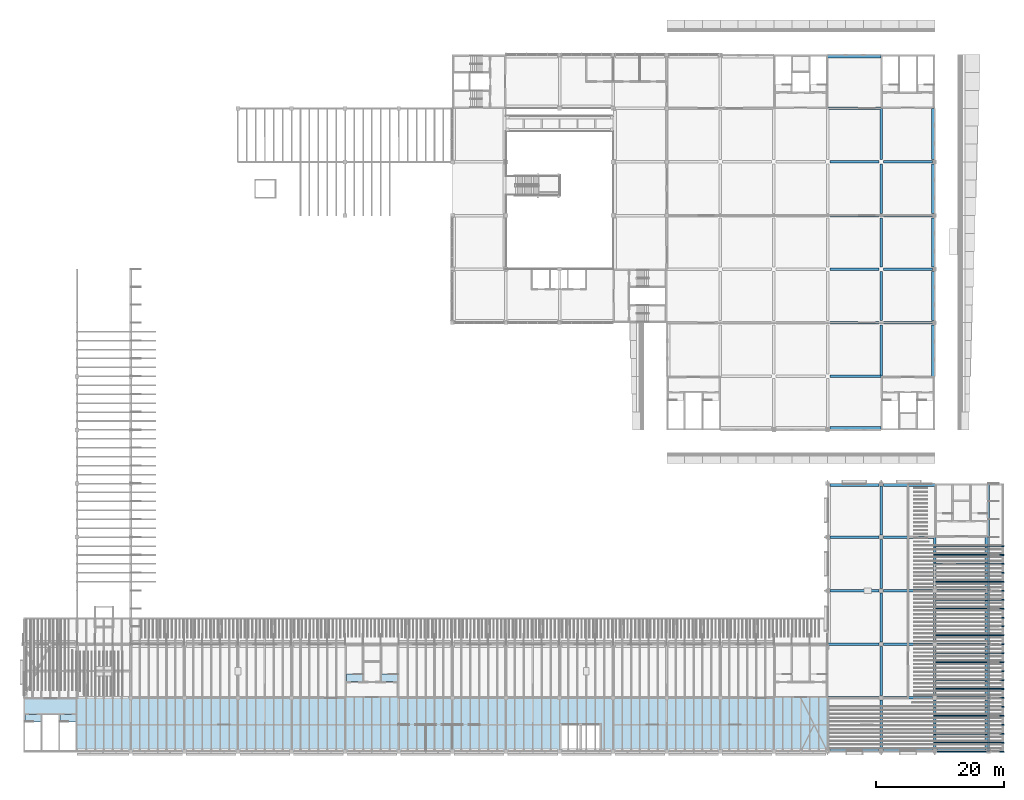
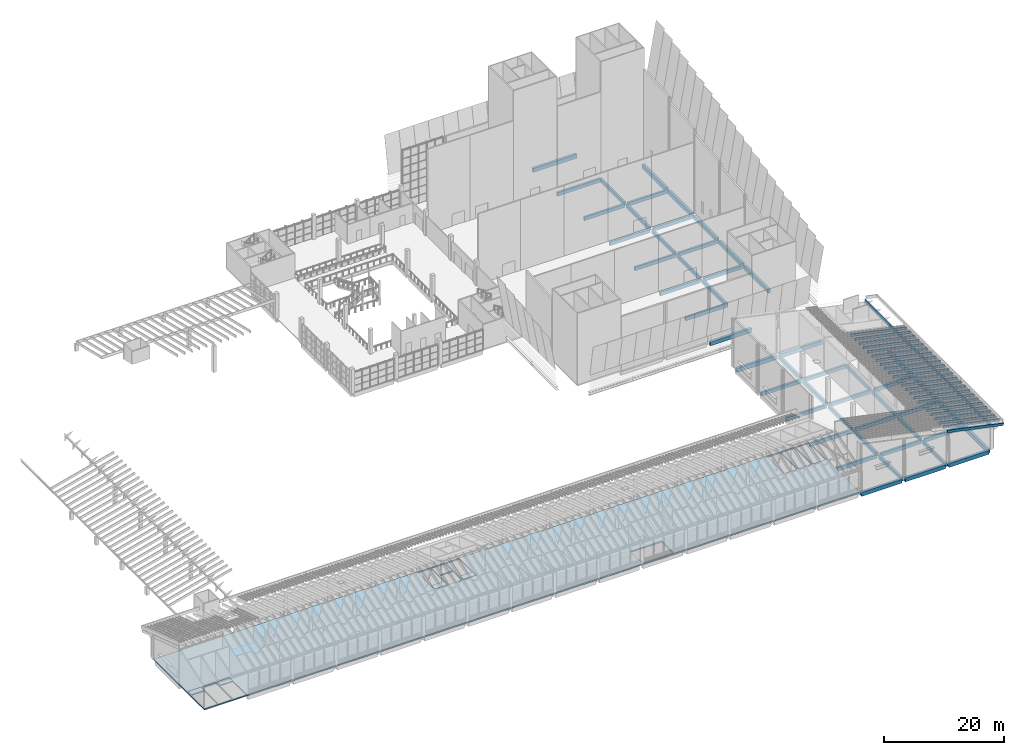
# One storey, part 13 of 59: 56 beams, 24 members, 5 slabs.
"""IFC4 building model written with IfcOpenShell, lengths in metres."""

import ifcopenshell
import ifcopenshell.guid

model = None  # the IFC model being written
_history = None  # IfcOwnerHistory: only IFC2X3 demands one
_inside = {}  # id of a spatial element -> (the spatial element, [elements in it])
_under = {}  # id of a project, library or spatial element -> (it, [spatial elements below it])
_declared = {}  # id of a project -> (the project, [libraries it declares])
_typed = {}  # id of a type object -> (the type object, [elements of that type])
_made_of = {}  # id of a material, layer set ... -> (it, [elements and type objects made of it])


def new_model(schema):
    """Start an empty IFC model of exactly this schema.

    Asked for "IFC4X3", IfcOpenShell would pick the latest addendum, in which some entities
    have other attributes; the version numbers below select the first issue.
    IFC2X3 requires an IfcOwnerHistory on every rooted entity: one is made here for all.
    """
    global model, _history
    if schema == "IFC4X3":
        model = ifcopenshell.file(schema_version=(4, 3, 0, 0))
    else:
        model = ifcopenshell.file(schema=schema)
    _inside.clear()
    _under.clear()
    _declared.clear()
    _typed.clear()
    _made_of.clear()
    _history = None
    if model.schema == "IFC2X3":
        org = make("IfcOrganization", Name="unknown")
        user = make(
            "IfcPersonAndOrganization",
            ThePerson=make("IfcPerson", FamilyName="unknown"),
            TheOrganization=org,
        )
        app = make(
            "IfcApplication",
            ApplicationDeveloper=org,
            Version="unknown",
            ApplicationFullName="unknown",
            ApplicationIdentifier="unknown",
        )
        _history = make(
            "IfcOwnerHistory",
            OwningUser=user,
            OwningApplication=app,
            ChangeAction="ADDED",
            CreationDate=0,
        )
    return model


def make(cls, **values):
    """One entity of the class cls with the attributes given. An attribute that is None is left unset."""
    return model.create_entity(
        cls, **{name: value for name, value in values.items() if value is not None}
    )


def rooted(cls, **values):
    """An entity with a GlobalId (a new one), such as an element, a storey or a relation."""
    return make(cls, GlobalId=ifcopenshell.guid.new(), OwnerHistory=_history, **values)


def si_unit(unit_type, name, prefix=None):
    """IfcSIUnit, for example si_unit("LENGTHUNIT", "METRE", prefix="MILLI")."""
    return make("IfcSIUnit", UnitType=unit_type, Prefix=prefix, Name=name)


def assignment(units):
    """IfcUnitAssignment: the units of a project."""
    return None if units is None else make("IfcUnitAssignment", Units=units)


def point(xyz):
    """IfcCartesianPoint."""
    return None if xyz is None else make("IfcCartesianPoint", Coordinates=xyz)


def direction(xyz):
    """IfcDirection."""
    return None if xyz is None else make("IfcDirection", DirectionRatios=xyz)


def frame(location, z_axis=None, x_axis=None):
    """IfcAxis2Placement3D, a coordinate frame: its origin and axes. An axis left out is left unset."""
    return make(
        "IfcAxis2Placement3D",
        Location=point(location),
        Axis=direction(z_axis),
        RefDirection=direction(x_axis),
    )


def frame_2d(location, x_axis=None):
    """IfcAxis2Placement2D, a coordinate frame in the plane: its origin and x axis."""
    return make(
        "IfcAxis2Placement2D", Location=point(location), RefDirection=direction(x_axis)
    )


def origin():
    """The frame at (0, 0, 0) with its axes left unset."""
    return frame((0.0, 0.0, 0.0))


def origin_2d():
    """The frame at (0, 0) in the plane with its x axis left unset."""
    return frame_2d((0.0, 0.0))


def place(relative_to, where):
    """IfcLocalPlacement: puts the frame where relative to a parent placement (None: the world)."""
    return make(
        "IfcLocalPlacement", PlacementRelTo=relative_to, RelativePlacement=where
    )


def context(
    kind, dimensions, precision=None, world=None, true_north=None, identifier=None
):
    """IfcGeometricRepresentationContext, for example the 3D "Model" context."""
    return make(
        "IfcGeometricRepresentationContext",
        ContextIdentifier=identifier,
        ContextType=kind,
        CoordinateSpaceDimension=dimensions,
        Precision=precision,
        WorldCoordinateSystem=world,
        TrueNorth=true_north,
    )


def subcontext(parent, identifier, kind, view, scale=None):
    """IfcGeometricRepresentationSubContext, for example "Body" below "Model"."""
    return make(
        "IfcGeometricRepresentationSubContext",
        ContextIdentifier=identifier,
        ContextType=kind,
        ParentContext=parent,
        TargetScale=scale,
        TargetView=view,
    )


def project(units=None, contexts=None):
    """IfcProject with its units and contexts."""
    return rooted(
        "IfcProject",
        Name="project",
        RepresentationContexts=contexts,
        UnitsInContext=assignment(units),
    )


def spatial(cls, under=None, at=None, **own):
    """A site, building, storey or space (cls), placed at a placement, below another one or the project."""
    s = rooted(cls, ObjectPlacement=at, **own)
    if under is not None:
        _under.setdefault(under.id(), (under, []))[1].append(s)
    return s


def polyline(points):
    """IfcPolyline through the points."""
    return make("IfcPolyline", Points=[point(p) for p in points])


def profile(cls, at=None, kind="AREA", **sizes):
    """A parametric profile (cls). Its sizes go by their IFC names, for example OverallWidth=200.0."""
    return make(cls, ProfileType=kind, Position=at, **sizes)


def rectangle(**sizes):
    """IfcRectangleProfileDef."""
    return profile("IfcRectangleProfileDef", **sizes)


def i_section(**sizes):
    """IfcIShapeProfileDef."""
    return profile("IfcIShapeProfileDef", **sizes)


def outline(outer, holes=None, kind="AREA"):
    """IfcArbitraryClosedProfileDef: a profile drawn as a closed curve; with holes, ...WithVoids."""
    if holes is None:
        return make("IfcArbitraryClosedProfileDef", ProfileType=kind, OuterCurve=outer)
    return make(
        "IfcArbitraryProfileDefWithVoids",
        ProfileType=kind,
        OuterCurve=outer,
        InnerCurves=holes,
    )


def extrude(swept, where, along, depth):
    """IfcExtrudedAreaSolid: the profile swept, set in the frame where, extruded along a direction by depth."""
    return make(
        "IfcExtrudedAreaSolid",
        SweptArea=swept,
        Position=where,
        ExtrudedDirection=direction(along),
        Depth=depth,
    )


def shape(context_of_items, identifier, shape_type, items):
    """IfcShapeRepresentation: the items that make up one representation, for example the "Body"."""
    return make(
        "IfcShapeRepresentation",
        ContextOfItems=context_of_items,
        RepresentationIdentifier=identifier,
        RepresentationType=shape_type,
        Items=items,
    )


def material(Name=None, Category=None):
    """IfcMaterial."""
    return make("IfcMaterial", Name=Name, Category=Category)


def layer(
    of_material, thickness, ventilated=None, Name=None, Category=None, Priority=None
):
    """IfcMaterialLayer: one layer of a wall or slab, of a material (None: an air gap)."""
    return make(
        "IfcMaterialLayer",
        Material=of_material,
        LayerThickness=thickness,
        IsVentilated=ventilated,
        Name=Name,
        Category=Category,
        Priority=Priority,
    )


def layer_set(layers, Name=None):
    """IfcMaterialLayerSet."""
    return make("IfcMaterialLayerSet", MaterialLayers=layers, LayerSetName=Name)


def material_profile(
    of_material, cross_section, Name=None, Category=None, Priority=None
):
    """IfcMaterialProfile: a cross section and its material."""
    return make(
        "IfcMaterialProfile",
        Name=Name,
        Material=of_material,
        Profile=cross_section,
        Priority=Priority,
        Category=Category,
    )


def profile_set(profiles, Name=None, composite=None):
    """IfcMaterialProfileSet."""
    return make(
        "IfcMaterialProfileSet",
        Name=Name,
        MaterialProfiles=profiles,
        CompositeProfile=composite,
    )


def made_of(thing, what):
    """Note that an element or type object is made of a material, layer set ...; save() writes the relation."""
    if what is not None:
        _made_of.setdefault(what.id(), (what, []))[1].append(thing)
    return thing


def type_object(cls, material=None, **own):
    """A type object (cls), such as IfcWallType, which elements share."""
    return made_of(rooted(cls, **own), material)


def element(
    cls,
    number,
    at=None,
    inside=None,
    cuts=None,
    type_object=None,
    material=None,
    context=None,
    identifier="Body",
    shape_type=None,
    held_by="IfcProductDefinitionShape",
    body=None,
    shapes=None,
    **own,
):
    """One element of the class cls, such as IfcWall. Its Tag is "e" and its number.

    at: its placement. inside: the storey or other place that contains it. cuts: it is an
    opening in that element (IfcRelVoidsElement). A single representation is given by context,
    identifier, shape_type and body (its items); several are given by shapes. held_by: the class
    of the entity that holds the representations. save() writes the other relations.
    """
    e = rooted(cls, Tag="e%d" % number, ObjectPlacement=at, **own)
    if body is not None:
        shapes = [shape(context, identifier, shape_type, body)]
    if shapes is not None:
        e.Representation = make(held_by, Representations=shapes)
    if inside is not None:
        _inside.setdefault(inside.id(), (inside, []))[1].append(e)
    if cuts is not None:
        rooted(
            "IfcRelVoidsElement", RelatingBuildingElement=cuts, RelatedOpeningElement=e
        )
    if type_object is not None:
        _typed.setdefault(type_object.id(), (type_object, []))[1].append(e)
    return made_of(e, material)


def aggregate(whole, parts):
    """IfcRelAggregates: a whole, such as a stair, and the parts it consists of."""
    return rooted("IfcRelAggregates", RelatingObject=whole, RelatedObjects=parts)


def save(model, path):
    """Write the relations noted so far, then the file.

    IfcRelAggregates (storeys below a building ...), IfcRelContainedInSpatialStructure (elements
    in a storey), IfcRelDefinesByType, IfcRelAssociatesMaterial and IfcRelDeclares: one each for
    every whole, place, type object, material and project.
    """
    for whole, parts in _under.values():
        aggregate(whole, parts)
    for where, things in _inside.values():
        rooted(
            "IfcRelContainedInSpatialStructure",
            RelatedElements=things,
            RelatingStructure=where,
        )
    for kind, things in _typed.values():
        rooted("IfcRelDefinesByType", RelatedObjects=things, RelatingType=kind)
    for what, things in _made_of.values():
        rooted("IfcRelAssociatesMaterial", RelatedObjects=things, RelatingMaterial=what)
    for by, libraries in _declared.values():
        rooted("IfcRelDeclares", RelatingContext=by, RelatedDefinitions=libraries)
    model.write(path)


model = new_model("IFC4")

# Units and contexts
model_context = context("Model", 3, precision=1e-05, world=origin(), true_north=direction((0.0, 1.0)))
body_context = subcontext(model_context, "Body", "Model", "MODEL_VIEW")
ifc_project = project(units=[si_unit("LENGTHUNIT", "METRE"), si_unit("AREAUNIT", "SQUARE_METRE"), si_unit("VOLUMEUNIT", "CUBIC_METRE"), si_unit("PLANEANGLEUNIT", "RADIAN"), si_unit("MASSUNIT", "GRAM", prefix="KILO")], contexts=[model_context])

# Site, building, storey
site_placement = place(None, origin())
site = spatial("IfcSite", under=ifc_project, at=site_placement, CompositionType="ELEMENT")
building_placement = place(site_placement, origin())
building = spatial("IfcBuilding", under=site, at=building_placement, Name="Almond Square Museum", CompositionType="ELEMENT")
storey_placement = place(building_placement, frame((0.0, 0.0, 25.0)))
storey = spatial("IfcBuildingStorey", under=building, at=storey_placement, Name="L04", CompositionType="ELEMENT", Elevation=25.0)

# Members
ifc_material_1 = material(Name="Glulam GL28h", Category="wood")
ifc_material_profile_1 = material_profile(ifc_material_1, rectangle(XDim=0.159912109375, YDim=0.5, at=origin_2d()))
ifc_profile_set_1 = profile_set([ifc_material_profile_1], Name="Glulam GL28h")
member_type = type_object("IfcMemberType", Name="Glulam rafter GL28h 160x500", PredefinedType="RAFTER", material=ifc_profile_set_1)
for number, where, z_axis, x_axis, name in (
    (1, (148.800048828125, 0.0, 6.427734375), (0.978146991949, 0.0, -0.207914554904), (0.0, 1.0, 0.0), "V5E rafter 3.1"),
    (2, (148.800048828125, 1.39990234375, 6.427734375), (0.978146991949, 0.0, -0.207914554904), (0.0, 1.0, 0.0), "V5E rafter 3.2"),
    (3, (148.800048828125, 2.800048828125, 6.427734375), (0.978146991949, 0.0, -0.207914554904), (0.0, 1.0, 0.0), "V5E rafter 3.3"),
    (4, (148.800048828125, 4.199951171875, 6.427734375), (0.978146991949, 0.0, -0.207914554904), (0.0, 1.0, 0.0), "V5E rafter 3.4"),
    (5, (148.800048828125, 5.60009765625, 6.427734375), (0.978146991949, 0.0, -0.207914554904), (0.0, 1.0, 0.0), "V5E rafter 3.5"),
    (6, (148.800048828125, 7.0, 6.427734375), (0.978146991949, 0.0, -0.207914554904), (0.0, 1.0, 0.0), "V5E rafter 3.6"),
    (7, (148.800048828125, 8.39990234375, 6.427734375), (0.978146991949, 0.0, -0.207914554904), (0.0, 1.0, 0.0), "V5E rafter 3.7"),
    (8, (148.800048828125, 9.800048828125, 6.427734375), (0.978146991949, 0.0, -0.207914554904), (0.0, 1.0, 0.0), "V5E rafter 3.8"),
    (9, (148.800048828125, 11.199951171875, 6.427734375), (0.978146991949, 0.0, -0.207914554904), (0.0, 1.0, 0.0), "V5E rafter 3.9"),
    (10, (148.800048828125, 12.60009765625, 6.427734375), (0.978146991949, 0.0, -0.207914554904), (0.0, 1.0, 0.0), "V5E rafter 3.10"),
    (11, (148.800048828125, 14.0, 6.427734375), (0.978146991949, 0.0, -0.207914554904), (0.0, 1.0, 0.0), "V5E rafter 3.11"),
    (12, (148.800048828125, 15.39990234375, 6.427734375), (0.978146991949, 0.0, -0.207914554904), (0.0, 1.0, 0.0), "V5E rafter 3.12"),
    (13, (148.800048828125, 16.800048828125, 6.427734375), (0.978146991949, 0.0, -0.207914554904), (0.0, 1.0, 0.0), "V5E rafter 3.13"),
    (14, (148.800048828125, 18.199951171875, 6.427734375), (0.978146991949, 0.0, -0.207914554904), (0.0, 1.0, 0.0), "V5E rafter 3.14"),
    (15, (148.800048828125, 19.60009765625, 6.427734375), (0.978146991949, 0.0, -0.207914554904), (0.0, 1.0, 0.0), "V5E rafter 3.15"),
    (16, (148.800048828125, 21.0, 6.427734375), (0.978146991949, 0.0, -0.207914554904), (0.0, 1.0, 0.0), "V5E rafter 3.16"),
    (17, (148.800048828125, 22.39990234375, 6.427734375), (0.978146991949, 0.0, -0.207914554904), (0.0, 1.0, 0.0), "V5E rafter 3.17"),
    (18, (148.800048828125, 23.800048828125, 6.427734375), (0.978146991949, 0.0, -0.207914554904), (0.0, 1.0, 0.0), "V5E rafter 3.18"),
    (19, (148.800048828125, 25.199951171875, 6.427734375), (0.978146991949, 0.0, -0.207914554904), (0.0, 1.0, 0.0), "V5E rafter 3.19"),
    (20, (148.800048828125, 26.60009765625, 6.427734375), (0.978146991949, 0.0, -0.207914554904), (0.0, 1.0, 0.0), "V5E rafter 3.20"),
    (21, (148.800048828125, 28.0, 6.427734375), (0.978146991949, 0.0, -0.207914554904), (0.0, 1.0, 0.0), "V5E rafter 3.21"),
    (22, (148.800048828125, 29.39990234375, 6.427734375), (0.978146991949, 0.0, -0.207914554904), (0.0, 1.0, 0.0), "V5E rafter 3.22"),
    (23, (148.800048828125, 30.800048828125, 6.427734375), (0.978146991949, 0.0, -0.207914554904), (0.0, 1.0, 0.0), "V5E rafter 3.23"),
    (24, (148.800048828125, 32.199951171875, 6.427734375), (0.978146991949, 0.0, -0.207914554904), (0.0, 1.0, 0.0), "V5E rafter 3.24"),
):
    element("IfcMember", number, at=place(storey_placement, frame(where, z_axis=z_axis, x_axis=x_axis)), inside=storey, type_object=member_type, Name=name, PredefinedType="RAFTER", context=body_context, shape_type="SweptSolid", body=[
        extrude(rectangle(XDim=0.159912109375, YDim=0.5, at=origin_2d()), origin(), (0.0, 0.0, 1.0), 11.041259765625),
    ])

# Beams
ifc_material_2 = material(Name="Concrete C40/50", Category="concrete")
ifc_material_profile_2 = material_profile(ifc_material_2, rectangle(XDim=0.39990234375, YDim=0.699951171875, at=origin_2d()))
ifc_profile_set_2 = profile_set([ifc_material_profile_2], Name="Concrete C40/50")
beam_type_1 = type_object("IfcBeamType", Name="RC beam 400 x 700 C40/50", PredefinedType="BEAM", material=ifc_profile_set_2)
beam_1_placement = place(storey_placement, frame((132.0, 8.39990234375, -0.60009765625), z_axis=(1.0, 0.0, 0.0), x_axis=(0.0, 1.0, 0.0)))
element("IfcBeam", 25, at=beam_1_placement, inside=storey, type_object=beam_type_1, Name="Beam B 17-18 L04", PredefinedType="BEAM", context=body_context, shape_type="SweptSolid", body=[
    extrude(rectangle(XDim=0.39990234375, YDim=0.699951171875, at=origin_2d()), origin(), (0.0, 0.0, 1.0), 8.050048828125),
])
beam_2_placement = place(storey_placement, frame((140.75, 8.39990234375, -0.60009765625), z_axis=(1.0, 0.0, 0.0), x_axis=(0.0, 1.0, 0.0)))
element("IfcBeam", 26, at=beam_2_placement, inside=storey, type_object=beam_type_1, Name="Beam B 18-19 L04", PredefinedType="BEAM", context=body_context, shape_type="SweptSolid", body=[
    extrude(rectangle(XDim=0.39990234375, YDim=0.699951171875, at=origin_2d()), origin(), (0.0, 0.0, 1.0), 7.699951171875),
])
beam_3_placement = place(storey_placement, frame((149.14990234375, 8.39990234375, -0.60009765625), z_axis=(1.0, 0.0, 0.0), x_axis=(0.0, 1.0, 0.0)))
element("IfcBeam", 27, at=beam_3_placement, inside=storey, type_object=beam_type_1, Name="Beam B 19-20 L04", PredefinedType="BEAM", context=body_context, shape_type="SweptSolid", body=[
    extrude(rectangle(XDim=0.39990234375, YDim=0.699951171875, at=origin_2d()), origin(), (0.0, 0.0, 1.0), 7.7001953125),
])
beam_4_placement = place(storey_placement, frame((132.0, 16.800048828125, -0.60009765625), z_axis=(1.0, 0.0, 0.0), x_axis=(0.0, 1.0, 0.0)))
element("IfcBeam", 28, at=beam_4_placement, inside=storey, type_object=beam_type_1, Name="Beam C 17-18 L04", PredefinedType="BEAM", context=body_context, shape_type="SweptSolid", body=[
    extrude(rectangle(XDim=0.39990234375, YDim=0.699951171875, at=origin_2d()), origin(), (0.0, 0.0, 1.0), 8.050048828125),
])
beam_5_placement = place(storey_placement, frame((140.75, 16.800048828125, -0.60009765625), z_axis=(1.0, 0.0, 0.0), x_axis=(0.0, 1.0, 0.0)))
element("IfcBeam", 29, at=beam_5_placement, inside=storey, type_object=beam_type_1, Name="Beam C 18-19 L04", PredefinedType="BEAM", context=body_context, shape_type="SweptSolid", body=[
    extrude(rectangle(XDim=0.39990234375, YDim=0.699951171875, at=origin_2d()), origin(), (0.0, 0.0, 1.0), 7.699951171875),
])
beam_6_placement = place(storey_placement, frame((149.14990234375, 16.800048828125, -0.60009765625), z_axis=(1.0, 0.0, 0.0), x_axis=(0.0, 1.0, 0.0)))
element("IfcBeam", 30, at=beam_6_placement, inside=storey, type_object=beam_type_1, Name="Beam C 19-20 L04", PredefinedType="BEAM", context=body_context, shape_type="SweptSolid", body=[
    extrude(rectangle(XDim=0.39990234375, YDim=0.699951171875, at=origin_2d()), origin(), (0.0, 0.0, 1.0), 7.7001953125),
])
for number, where, z_axis, x_axis, name in (
    (31, (132.35009765625, 25.199951171875, -0.60009765625), (1.0, 0.0, 0.0), (0.0, 1.0, 0.0), "Beam D 17-18 L04"),
    (32, (140.75, 25.199951171875, -0.60009765625), (1.0, 0.0, 0.0), (0.0, 1.0, 0.0), "Beam D 18-19 L04"),
):
    element("IfcBeam", number, at=place(storey_placement, frame(where, z_axis=z_axis, x_axis=x_axis)), inside=storey, type_object=beam_type_1, Name=name, PredefinedType="BEAM", context=body_context, shape_type="SweptSolid", body=[
        extrude(rectangle(XDim=0.39990234375, YDim=0.699951171875, at=origin_2d()), origin(), (0.0, 0.0, 1.0), 7.699951171875),
    ])
beam_7_placement = place(storey_placement, frame((149.14990234375, 25.199951171875, -0.60009765625), z_axis=(1.0, 0.0, 0.0), x_axis=(0.0, 1.0, 0.0)))
element("IfcBeam", 33, at=beam_7_placement, inside=storey, type_object=beam_type_1, Name="Beam D 19-20 L04", PredefinedType="BEAM", context=body_context, shape_type="SweptSolid", body=[
    extrude(rectangle(XDim=0.39990234375, YDim=0.699951171875, at=origin_2d()), origin(), (0.0, 0.0, 1.0), 7.7001953125),
])
beam_8_placement = place(storey_placement, frame((132.35009765625, 33.60009765625, -0.60009765625), z_axis=(1.0, 0.0, 0.0), x_axis=(0.0, 1.0, 0.0)))
element("IfcBeam", 34, at=beam_8_placement, inside=storey, type_object=beam_type_1, Name="Beam E 17-18 L04", PredefinedType="BEAM", context=body_context, shape_type="SweptSolid", body=[
    extrude(rectangle(XDim=0.39990234375, YDim=0.699951171875, at=origin_2d()), origin(), (0.0, 0.0, 1.0), 7.699951171875),
])
beam_9_placement = place(storey_placement, frame((140.75, 33.60009765625, -0.60009765625), z_axis=(1.0, 0.0, 0.0), x_axis=(0.0, 1.0, 0.0)))
element("IfcBeam", 35, at=beam_9_placement, inside=storey, type_object=beam_type_1, Name="Beam E 18-19 L04", PredefinedType="BEAM", context=body_context, shape_type="SweptSolid", body=[
    extrude(rectangle(XDim=0.39990234375, YDim=0.699951171875, at=origin_2d()), origin(), (0.0, 0.0, 1.0), 8.050048828125),
])
beam_10_placement = place(storey_placement, frame((132.35009765625, 58.800048828125, -0.60009765625), z_axis=(1.0, 0.0, 0.0), x_axis=(0.0, 1.0, 0.0)))
element("IfcBeam", 36, at=beam_10_placement, inside=storey, type_object=beam_type_1, Name="Beam H 17-18 L04", PredefinedType="BEAM", context=body_context, shape_type="SweptSolid", body=[
    extrude(rectangle(XDim=0.39990234375, YDim=0.699951171875, at=origin_2d()), origin(), (0.0, 0.0, 1.0), 8.0498046875),
])
for number, where, z_axis, x_axis, name in (
    (37, (132.35009765625, 67.199951171875, -0.60009765625), (1.0, 0.0, 0.0), (0.0, 1.0, 0.0), "Beam I 17-18 L04"),
    (38, (140.75, 67.199951171875, -0.60009765625), (1.0, 0.0, 0.0), (0.0, 1.0, 0.0), "Beam I 18-19 L04"),
    (39, (132.35009765625, 75.60009765625, -0.60009765625), (1.0, 0.0, 0.0), (0.0, 1.0, 0.0), "Beam J 17-18 L04"),
    (40, (140.75, 75.60009765625, -0.60009765625), (1.0, 0.0, 0.0), (0.0, 1.0, 0.0), "Beam J 18-19 L04"),
    (41, (132.35009765625, 84.0, -0.60009765625), (1.0, 0.0, 0.0), (0.0, 1.0, 0.0), "Beam K 17-18 L04"),
    (42, (140.75, 84.0, -0.60009765625), (1.0, 0.0, 0.0), (0.0, 1.0, 0.0), "Beam K 18-19 L04"),
    (43, (132.35009765625, 92.39990234375, -0.60009765625), (1.0, 0.0, 0.0), (0.0, 1.0, 0.0), "Beam L 17-18 L04"),
    (44, (140.75, 92.39990234375, -0.60009765625), (1.0, 0.0, 0.0), (0.0, 1.0, 0.0), "Beam L 18-19 L04"),
):
    element("IfcBeam", number, at=place(storey_placement, frame(where, z_axis=z_axis, x_axis=x_axis)), inside=storey, type_object=beam_type_1, Name=name, PredefinedType="BEAM", context=body_context, shape_type="SweptSolid", body=[
        extrude(rectangle(XDim=0.39990234375, YDim=0.699951171875, at=origin_2d()), origin(), (0.0, 0.0, 1.0), 7.699951171875),
    ])
beam_11_placement = place(storey_placement, frame((132.0, 100.800048828125, -0.60009765625), z_axis=(1.0, 0.0, 0.0), x_axis=(0.0, 1.0, 0.0)))
element("IfcBeam", 45, at=beam_11_placement, inside=storey, type_object=beam_type_1, Name="Beam M 17-18 L04", PredefinedType="BEAM", context=body_context, shape_type="SweptSolid", body=[
    extrude(rectangle(XDim=0.39990234375, YDim=0.699951171875, at=origin_2d()), origin(), (0.0, 0.0, 1.0), 8.39990234375),
])
for number, where, z_axis, x_axis, name in (
    (46, (140.39990234375, 0.35009765625, -0.60009765625), (0.0, 1.0, 0.0), (-1.0, 0.0, 0.0), "Beam 18 A-B L04"),
    (47, (140.39990234375, 8.75, -0.60009765625), (0.0, 1.0, 0.0), (-1.0, 0.0, 0.0), "Beam 18 B-C L04"),
):
    element("IfcBeam", number, at=place(storey_placement, frame(where, z_axis=z_axis, x_axis=x_axis)), inside=storey, type_object=beam_type_1, Name=name, PredefinedType="BEAM", context=body_context, shape_type="SweptSolid", body=[
        extrude(rectangle(XDim=0.39990234375, YDim=0.699951171875, at=origin_2d()), origin(), (0.0, 0.0, 1.0), 7.699951171875),
    ])
beam_12_placement = place(storey_placement, frame((140.39990234375, 17.14990234375, -0.60009765625), z_axis=(0.0, 1.0, 0.0), x_axis=(-1.0, 0.0, 0.0)))
element("IfcBeam", 48, at=beam_12_placement, inside=storey, type_object=beam_type_1, Name="Beam 18 C-D L04", PredefinedType="BEAM", context=body_context, shape_type="SweptSolid", body=[
    extrude(rectangle(XDim=0.39990234375, YDim=0.699951171875, at=origin_2d()), origin(), (0.0, 0.0, 1.0), 7.7001953125),
])
for number, where, z_axis, x_axis, name in (
    (49, (140.39990234375, 25.550048828125, -0.60009765625), (0.0, 1.0, 0.0), (-1.0, 0.0, 0.0), "Beam 18 D-E L04"),
    (50, (140.39990234375, 33.949951171875, -0.60009765625), (0.0, 1.0, 0.0), (-1.0, 0.0, 0.0), "Beam 18 E-F L04"),
):
    element("IfcBeam", number, at=place(storey_placement, frame(where, z_axis=z_axis, x_axis=x_axis)), inside=storey, type_object=beam_type_1, Name=name, PredefinedType="BEAM", context=body_context, shape_type="SweptSolid", body=[
        extrude(rectangle(XDim=0.39990234375, YDim=0.699951171875, at=origin_2d()), origin(), (0.0, 0.0, 1.0), 7.699951171875),
    ])
beam_13_placement = place(storey_placement, frame((140.39990234375, 58.800048828125, -0.60009765625), z_axis=(0.0, 1.0, 0.0), x_axis=(-1.0, 0.0, 0.0)))
element("IfcBeam", 51, at=beam_13_placement, inside=storey, type_object=beam_type_1, Name="Beam 18 H-I L04", PredefinedType="BEAM", context=body_context, shape_type="SweptSolid", body=[
    extrude(rectangle(XDim=0.39990234375, YDim=0.699951171875, at=origin_2d()), origin(), (0.0, 0.0, 1.0), 8.050048828125),
])
for number, where, z_axis, x_axis, name in (
    (52, (140.39990234375, 67.550048828125, -0.60009765625), (0.0, 1.0, 0.0), (-1.0, 0.0, 0.0), "Beam 18 I-J L04"),
    (53, (140.39990234375, 75.949951171875, -0.60009765625), (0.0, 1.0, 0.0), (-1.0, 0.0, 0.0), "Beam 18 J-K L04"),
    (54, (140.39990234375, 84.35009765625, -0.60009765625), (0.0, 1.0, 0.0), (-1.0, 0.0, 0.0), "Beam 18 K-L L04"),
):
    element("IfcBeam", number, at=place(storey_placement, frame(where, z_axis=z_axis, x_axis=x_axis)), inside=storey, type_object=beam_type_1, Name=name, PredefinedType="BEAM", context=body_context, shape_type="SweptSolid", body=[
        extrude(rectangle(XDim=0.39990234375, YDim=0.699951171875, at=origin_2d()), origin(), (0.0, 0.0, 1.0), 7.699951171875),
    ])
beam_14_placement = place(storey_placement, frame((140.39990234375, 92.75, -0.60009765625), z_axis=(0.0, 1.0, 0.0), x_axis=(-1.0, 0.0, 0.0)))
element("IfcBeam", 55, at=beam_14_placement, inside=storey, type_object=beam_type_1, Name="Beam 18 L-M L04", PredefinedType="BEAM", context=body_context, shape_type="SweptSolid", body=[
    extrude(rectangle(XDim=0.39990234375, YDim=0.699951171875, at=origin_2d()), origin(), (0.0, 0.0, 1.0), 8.050048828125),
])
for number, where, z_axis, x_axis, name in (
    (56, (148.800048828125, 0.35009765625, -0.60009765625), (0.0, 1.0, 0.0), (-1.0, 0.0, 0.0), "Beam 19 A-B L04"),
    (57, (148.800048828125, 8.75, -0.60009765625), (0.0, 1.0, 0.0), (-1.0, 0.0, 0.0), "Beam 19 B-C L04"),
):
    element("IfcBeam", number, at=place(storey_placement, frame(where, z_axis=z_axis, x_axis=x_axis)), inside=storey, type_object=beam_type_1, Name=name, PredefinedType="BEAM", context=body_context, shape_type="SweptSolid", body=[
        extrude(rectangle(XDim=0.39990234375, YDim=0.699951171875, at=origin_2d()), origin(), (0.0, 0.0, 1.0), 7.699951171875),
    ])
beam_15_placement = place(storey_placement, frame((148.800048828125, 17.14990234375, -0.60009765625), z_axis=(0.0, 1.0, 0.0), x_axis=(-1.0, 0.0, 0.0)))
element("IfcBeam", 58, at=beam_15_placement, inside=storey, type_object=beam_type_1, Name="Beam 19 C-D L04", PredefinedType="BEAM", context=body_context, shape_type="SweptSolid", body=[
    extrude(rectangle(XDim=0.39990234375, YDim=0.699951171875, at=origin_2d()), origin(), (0.0, 0.0, 1.0), 7.7001953125),
])
beam_16_placement = place(storey_placement, frame((148.800048828125, 25.550048828125, -0.60009765625), z_axis=(0.0, 1.0, 0.0), x_axis=(-1.0, 0.0, 0.0)))
element("IfcBeam", 59, at=beam_16_placement, inside=storey, type_object=beam_type_1, Name="Beam 19 D-E L04", PredefinedType="BEAM", context=body_context, shape_type="SweptSolid", body=[
    extrude(rectangle(XDim=0.39990234375, YDim=0.699951171875, at=origin_2d()), origin(), (0.0, 0.0, 1.0), 8.050048828125),
])
ifc_material_3 = material(Name="Concrete C40/50", Category="concrete")
ifc_material_profile_3 = material_profile(ifc_material_3, rectangle(XDim=0.5, YDim=0.800048828125, at=origin_2d()))
ifc_profile_set_3 = profile_set([ifc_material_profile_3], Name="Concrete C40/50")
beam_type_2 = type_object("IfcBeamType", Name="RC edge beam 500 x 800 C40/50", PredefinedType="BEAM", material=ifc_profile_set_3)
for number, where, z_axis, x_axis, name in (
    (60, (132.35009765625, 0.25, -0.64990234375), (1.0, 0.0, 0.0), (0.0, 1.0, 0.0), "Edge beam A 17-18 L04"),
    (61, (140.75, 0.25, -0.64990234375), (1.0, 0.0, 0.0), (0.0, 1.0, 0.0), "Edge beam A 18-19 L04"),
):
    element("IfcBeam", number, at=place(storey_placement, frame(where, z_axis=z_axis, x_axis=x_axis)), inside=storey, type_object=beam_type_2, Name=name, PredefinedType="BEAM", context=body_context, shape_type="SweptSolid", body=[
        extrude(rectangle(XDim=0.5, YDim=0.800048828125, at=origin_2d()), origin(), (0.0, 0.0, 1.0), 7.699951171875),
    ])
beam_17_placement = place(storey_placement, frame((149.14990234375, 0.25, -0.64990234375), z_axis=(1.0, 0.0, 0.0), x_axis=(0.0, 1.0, 0.0)))
element("IfcBeam", 62, at=beam_17_placement, inside=storey, type_object=beam_type_2, Name="Edge beam A 19-20 L04", PredefinedType="BEAM", context=body_context, shape_type="SweptSolid", body=[
    extrude(rectangle(XDim=0.5, YDim=0.800048828125, at=origin_2d()), origin(), (0.0, 0.0, 1.0), 7.7001953125),
])
beam_18_placement = place(storey_placement, frame((132.35009765625, 41.75, -0.64990234375), z_axis=(1.0, 0.0, 0.0), x_axis=(0.0, 1.0, 0.0)))
element("IfcBeam", 63, at=beam_18_placement, inside=storey, type_object=beam_type_2, Name="Edge beam F 17-18 L04", PredefinedType="BEAM", context=body_context, shape_type="SweptSolid", body=[
    extrude(rectangle(XDim=0.5, YDim=0.800048828125, at=origin_2d()), origin(), (0.0, 0.0, 1.0), 7.699951171875),
])
beam_19_placement = place(storey_placement, frame((140.75, 41.75, -0.64990234375), z_axis=(1.0, 0.0, 0.0), x_axis=(0.0, 1.0, 0.0)))
element("IfcBeam", 64, at=beam_19_placement, inside=storey, type_object=beam_type_2, Name="Edge beam F 18-19 L04", PredefinedType="BEAM", context=body_context, shape_type="SweptSolid", body=[
    extrude(rectangle(XDim=0.5, YDim=0.800048828125, at=origin_2d()), origin(), (0.0, 0.0, 1.0), 8.050048828125),
])
beam_20_placement = place(storey_placement, frame((132.35009765625, 50.64990234375, -0.64990234375), z_axis=(1.0, 0.0, 0.0), x_axis=(0.0, 1.0, 0.0)))
element("IfcBeam", 65, at=beam_20_placement, inside=storey, type_object=beam_type_2, Name="Edge beam G 17-18 L04", PredefinedType="BEAM", context=body_context, shape_type="SweptSolid", body=[
    extrude(rectangle(XDim=0.5, YDim=0.800048828125, at=origin_2d()), origin(), (0.0, 0.0, 1.0), 8.0498046875),
])
beam_21_placement = place(storey_placement, frame((132.0, 108.949951171875, -0.64990234375), z_axis=(1.0, 0.0, 0.0), x_axis=(0.0, 1.0, 0.0)))
element("IfcBeam", 66, at=beam_21_placement, inside=storey, type_object=beam_type_2, Name="Edge beam N 17-18 L04", PredefinedType="BEAM", context=body_context, shape_type="SweptSolid", body=[
    extrude(rectangle(XDim=0.5, YDim=0.800048828125, at=origin_2d()), origin(), (0.0, 0.0, 1.0), 8.39990234375),
])
beam_22_placement = place(storey_placement, frame((148.550048828125, 58.800048828125, -0.64990234375), z_axis=(0.0, 1.0, 0.0), x_axis=(-1.0, 0.0, 0.0)))
element("IfcBeam", 67, at=beam_22_placement, inside=storey, type_object=beam_type_2, Name="Edge beam 19 H-I L04", PredefinedType="BEAM", context=body_context, shape_type="SweptSolid", body=[
    extrude(rectangle(XDim=0.5, YDim=0.800048828125, at=origin_2d()), origin(), (0.0, 0.0, 1.0), 8.050048828125),
])
for number, where, z_axis, x_axis, name in (
    (68, (148.550048828125, 67.550048828125, -0.64990234375), (0.0, 1.0, 0.0), (-1.0, 0.0, 0.0), "Edge beam 19 I-J L04"),
    (69, (148.550048828125, 75.949951171875, -0.64990234375), (0.0, 1.0, 0.0), (-1.0, 0.0, 0.0), "Edge beam 19 J-K L04"),
    (70, (148.550048828125, 84.35009765625, -0.64990234375), (0.0, 1.0, 0.0), (-1.0, 0.0, 0.0), "Edge beam 19 K-L L04"),
):
    element("IfcBeam", number, at=place(storey_placement, frame(where, z_axis=z_axis, x_axis=x_axis)), inside=storey, type_object=beam_type_2, Name=name, PredefinedType="BEAM", context=body_context, shape_type="SweptSolid", body=[
        extrude(rectangle(XDim=0.5, YDim=0.800048828125, at=origin_2d()), origin(), (0.0, 0.0, 1.0), 7.699951171875),
    ])
beam_23_placement = place(storey_placement, frame((148.550048828125, 92.75, -0.64990234375), z_axis=(0.0, 1.0, 0.0), x_axis=(-1.0, 0.0, 0.0)))
element("IfcBeam", 71, at=beam_23_placement, inside=storey, type_object=beam_type_2, Name="Edge beam 19 L-M L04", PredefinedType="BEAM", context=body_context, shape_type="SweptSolid", body=[
    extrude(rectangle(XDim=0.5, YDim=0.800048828125, at=origin_2d()), origin(), (0.0, 0.0, 1.0), 8.050048828125),
])
for number, where, z_axis, x_axis, name in (
    (72, (156.949951171875, 0.35009765625, -0.64990234375), (0.0, 1.0, 0.0), (-1.0, 0.0, 0.0), "Edge beam 20 A-B L04"),
    (73, (156.949951171875, 8.75, -0.64990234375), (0.0, 1.0, 0.0), (-1.0, 0.0, 0.0), "Edge beam 20 B-C L04"),
):
    element("IfcBeam", number, at=place(storey_placement, frame(where, z_axis=z_axis, x_axis=x_axis)), inside=storey, type_object=beam_type_2, Name=name, PredefinedType="BEAM", context=body_context, shape_type="SweptSolid", body=[
        extrude(rectangle(XDim=0.5, YDim=0.800048828125, at=origin_2d()), origin(), (0.0, 0.0, 1.0), 7.699951171875),
    ])
beam_24_placement = place(storey_placement, frame((156.949951171875, 17.14990234375, -0.64990234375), z_axis=(0.0, 1.0, 0.0), x_axis=(-1.0, 0.0, 0.0)))
element("IfcBeam", 74, at=beam_24_placement, inside=storey, type_object=beam_type_2, Name="Edge beam 20 C-D L04", PredefinedType="BEAM", context=body_context, shape_type="SweptSolid", body=[
    extrude(rectangle(XDim=0.5, YDim=0.800048828125, at=origin_2d()), origin(), (0.0, 0.0, 1.0), 7.7001953125),
])
beam_25_placement = place(storey_placement, frame((156.949951171875, 25.550048828125, -0.64990234375), z_axis=(0.0, 1.0, 0.0), x_axis=(-1.0, 0.0, 0.0)))
element("IfcBeam", 75, at=beam_25_placement, inside=storey, type_object=beam_type_2, Name="Edge beam 20 D-E L04", PredefinedType="BEAM", context=body_context, shape_type="SweptSolid", body=[
    extrude(rectangle(XDim=0.5, YDim=0.800048828125, at=origin_2d()), origin(), (0.0, 0.0, 1.0), 8.050048828125),
])
ifc_material_4 = material(Name="Structural steel S355", Category="steel")
ifc_material_profile_4 = material_profile(ifc_material_4, i_section(OverallWidth=0.208984375, OverallDepth=0.532958984375, WebThickness=0.01025390625, FlangeThickness=0.015625, at=origin_2d()))
ifc_profile_set_4 = profile_set([ifc_material_profile_4], Name="Structural steel S355")
beam_type_3 = type_object("IfcBeamType", Name="Roof beam W530x92", PredefinedType="BEAM", material=ifc_profile_set_4)
beam_26_placement = place(storey_placement, frame((157.199951171875, 0.0, 4.625244140625), z_axis=(0.0, 1.0, 0.0), x_axis=(-0.978147600734, 0.0, 0.207911690818)))
element("IfcBeam", 76, at=beam_26_placement, inside=storey, type_object=beam_type_3, Name="V5E roof beam 4.1", PredefinedType="BEAM", context=body_context, shape_type="SweptSolid", body=[
    extrude(i_section(OverallWidth=0.208984375, OverallDepth=0.532958984375, WebThickness=0.01025390625, FlangeThickness=0.015625, at=origin_2d()), origin(), (0.0, 0.0, 1.0), 8.39990234375),
])
beam_27_placement = place(storey_placement, frame((157.199951171875, 8.39990234375, 4.625244140625), z_axis=(0.0, 1.0, 0.0), x_axis=(-0.978147600734, 0.0, 0.207911690818)))
element("IfcBeam", 77, at=beam_27_placement, inside=storey, type_object=beam_type_3, Name="V5E roof beam 4.2", PredefinedType="BEAM", context=body_context, shape_type="SweptSolid", body=[
    extrude(i_section(OverallWidth=0.208984375, OverallDepth=0.532958984375, WebThickness=0.01025390625, FlangeThickness=0.015625, at=origin_2d()), origin(), (0.0, 0.0, 1.0), 8.400146484375),
])
beam_28_placement = place(storey_placement, frame((157.199951171875, 16.800048828125, 4.625244140625), z_axis=(0.0, 1.0, 0.0), x_axis=(-0.978147600734, 0.0, 0.207911690818)))
element("IfcBeam", 78, at=beam_28_placement, inside=storey, type_object=beam_type_3, Name="V5E roof beam 4.3", PredefinedType="BEAM", context=body_context, shape_type="SweptSolid", body=[
    extrude(i_section(OverallWidth=0.208984375, OverallDepth=0.532958984375, WebThickness=0.01025390625, FlangeThickness=0.015625, at=origin_2d()), origin(), (0.0, 0.0, 1.0), 8.39990234375),
])
beam_29_placement = place(storey_placement, frame((157.199951171875, 25.199951171875, 4.625244140625), z_axis=(0.0, 1.0, 0.0), x_axis=(-0.978147600734, 0.0, 0.207911690818)))
element("IfcBeam", 79, at=beam_29_placement, inside=storey, type_object=beam_type_3, Name="V5E roof beam 4.4", PredefinedType="BEAM", context=body_context, shape_type="SweptSolid", body=[
    extrude(i_section(OverallWidth=0.208984375, OverallDepth=0.532958984375, WebThickness=0.01025390625, FlangeThickness=0.015625, at=origin_2d()), origin(), (0.0, 0.0, 1.0), 8.400146484375),
])
beam_30_placement = place(storey_placement, frame((157.199951171875, 33.60009765625, 4.625244140625), z_axis=(0.0, 1.0, 0.0), x_axis=(-0.978147600734, 0.0, 0.207911690818)))
element("IfcBeam", 80, at=beam_30_placement, inside=storey, type_object=beam_type_3, Name="V5E roof beam 4.5", PredefinedType="BEAM", context=body_context, shape_type="SweptSolid", body=[
    extrude(i_section(OverallWidth=0.208984375, OverallDepth=0.532958984375, WebThickness=0.01025390625, FlangeThickness=0.015625, at=origin_2d()), origin(), (0.0, 0.0, 1.0), 8.39990234375),
])

# Slabs
ifc_material_5 = material(Name="Concrete C40/50", Category="concrete")
ifc_layer_1 = layer(ifc_material_5, 0.199951171875)
ifc_layer_set_1 = layer_set([ifc_layer_1], Name="Concrete C40/50")
slab_type_1 = type_object("IfcSlabType", Name="Concrete stair landing 200", PredefinedType="LANDING", material=ifc_layer_set_1)
slab_1_placement = place(storey_placement, frame((0.0, 0.0, -0.199951171875)))
element("IfcSlab", 81, at=slab_1_placement, inside=storey, type_object=slab_type_1, Name="L04 stair S1-1 floor landing", PredefinedType="LANDING", context=body_context, shape_type="SweptSolid", body=[
    extrude(outline(polyline([(6.199951171875, 4.64697265625), (8.699951171875, 4.64697265625), (8.699951171875, 5.800048828125), (6.199951171875, 5.800048828125), (6.199951171875, 4.64697265625)])), origin(), (0.0, 0.0, 1.0), 0.199951171875),
])
slab_2_placement = place(storey_placement, frame((0.0, 0.0, -0.199951171875)))
element("IfcSlab", 82, at=slab_2_placement, inside=storey, type_object=slab_type_1, Name="L04 stair S1-2 floor landing", PredefinedType="LANDING", context=body_context, shape_type="SweptSolid", body=[
    extrude(outline(polyline([(11.699951171875, 4.64697265625), (14.199951171875, 4.64697265625), (14.199951171875, 5.800048828125), (11.699951171875, 5.800048828125), (11.699951171875, 4.64697265625)])), origin(), (0.0, 0.0, 1.0), 0.199951171875),
])
slab_3_placement = place(storey_placement, frame((0.0, 0.0, -0.199951171875)))
element("IfcSlab", 83, at=slab_3_placement, inside=storey, type_object=slab_type_1, Name="L04 stair S2-1 floor landing", PredefinedType="LANDING", context=body_context, shape_type="SweptSolid", body=[
    extrude(outline(polyline([(56.60009765625, 11.0), (59.10009765625, 11.0), (59.10009765625, 12.153076171875), (56.60009765625, 12.153076171875), (56.60009765625, 11.0)])), origin(), (0.0, 0.0, 1.0), 0.199951171875),
])
slab_4_placement = place(storey_placement, frame((0.0, 0.0, -0.199951171875)))
element("IfcSlab", 84, at=slab_4_placement, inside=storey, type_object=slab_type_1, Name="L04 stair S2-2 floor landing", PredefinedType="LANDING", context=body_context, shape_type="SweptSolid", body=[
    extrude(outline(polyline([(62.10009765625, 11.0), (64.60009765625, 11.0), (64.60009765625, 12.153076171875), (62.10009765625, 12.153076171875), (62.10009765625, 11.0)])), origin(), (0.0, 0.0, 1.0), 0.199951171875),
])
ifc_material_6 = material(Name="Concrete C40/50", Category="concrete")
ifc_layer_2 = layer(ifc_material_6, 0.25)
ifc_layer_set_2 = layer_set([ifc_layer_2], Name="Concrete C40/50")
slab_type_2 = type_object("IfcSlabType", Name="RC floor slab 250 C40/50", PredefinedType="FLOOR", material=ifc_layer_set_2)
slab_5_placement = place(storey_placement, frame((0.0, 0.0, -0.25)))
element("IfcSlab", 85, at=slab_5_placement, inside=storey, type_object=slab_type_2, Name="Floor slab L04 V5S", PredefinedType="FLOOR", context=body_context, shape_type="SweptSolid", body=[
    extrude(outline(polyline([(132.0, 16.800048828125), (132.0, 0.0), (6.0, 0.0), (6.0, 16.800048828125), (132.0, 16.800048828125)]), holes=[polyline([(96.300048828125, 0.300048828125), (96.300048828125, 4.10009765625), (90.300048828125, 4.10009765625), (90.300048828125, 0.300048828125), (96.300048828125, 0.300048828125)]), polyline([(11.5, 0.199951171875), (11.5, 5.800048828125), (8.89990234375, 5.800048828125), (8.89990234375, 0.199951171875), (11.5, 0.199951171875)]), polyline([(14.199951171875, 0.199951171875), (14.199951171875, 5.800048828125), (11.699951171875, 5.800048828125), (11.699951171875, 0.199951171875), (14.199951171875, 0.199951171875)]), polyline([(8.699951171875, 0.199951171875), (8.699951171875, 5.800048828125), (6.199951171875, 5.800048828125), (6.199951171875, 0.199951171875), (8.699951171875, 0.199951171875)]), polyline([(61.89990234375, 11.0), (61.89990234375, 14.0), (59.300048828125, 14.0), (59.300048828125, 11.0), (61.89990234375, 11.0)]), polyline([(59.10009765625, 11.0), (59.10009765625, 16.60009765625), (56.60009765625, 16.60009765625), (56.60009765625, 11.0), (59.10009765625, 11.0)]), polyline([(64.60009765625, 11.0), (64.60009765625, 16.60009765625), (62.10009765625, 16.60009765625), (62.10009765625, 11.0), (64.60009765625, 11.0)]), polyline([(61.89990234375, 14.199951171875), (61.89990234375, 16.60009765625), (59.300048828125, 16.60009765625), (59.300048828125, 14.199951171875), (61.89990234375, 14.199951171875)]), polyline([(126.300048828125, 11.0), (126.300048828125, 16.60009765625), (123.800048828125, 16.60009765625), (123.800048828125, 11.0), (126.300048828125, 11.0)]), polyline([(129.10009765625, 11.0), (129.10009765625, 16.60009765625), (126.5, 16.60009765625), (126.5, 11.0), (129.10009765625, 11.0)]), polyline([(131.800048828125, 11.0), (131.800048828125, 16.60009765625), (129.300048828125, 16.60009765625), (129.300048828125, 11.0), (131.800048828125, 11.0)])]), origin(), (0.0, 0.0, 1.0), 0.25),
])

save(model, "model.ifc")
